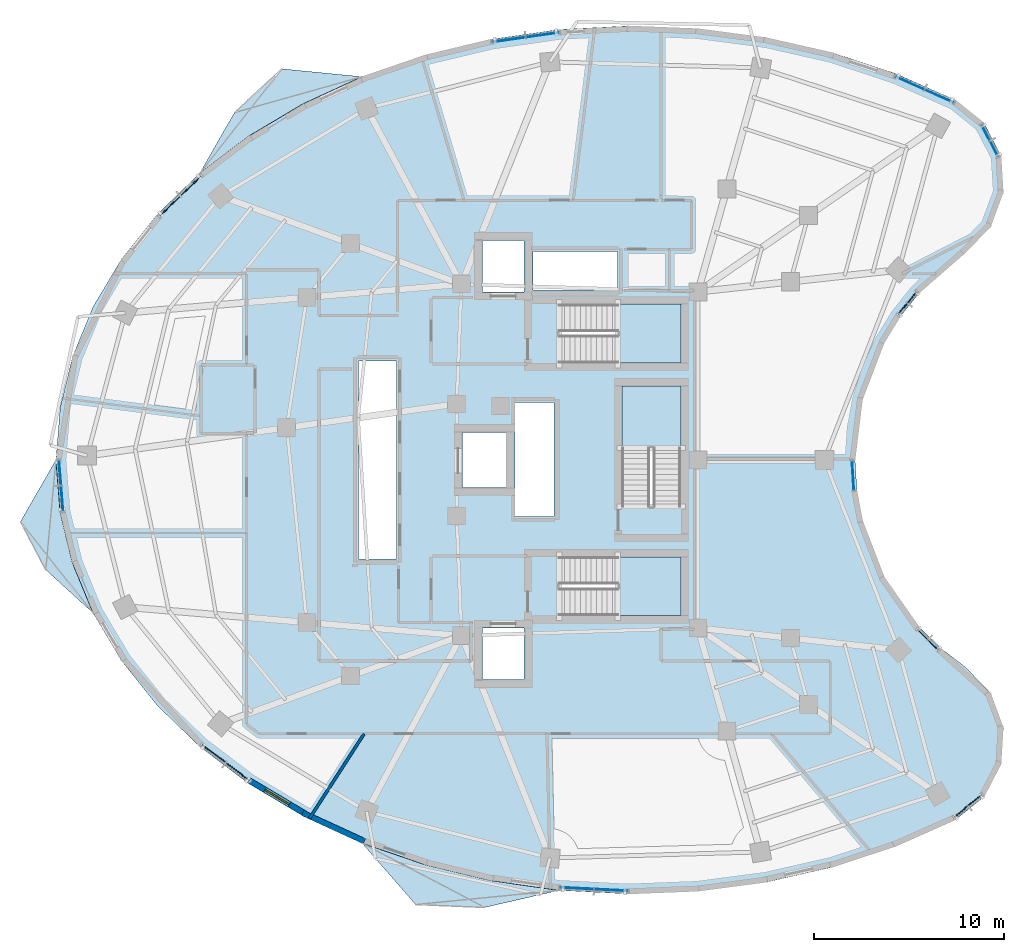
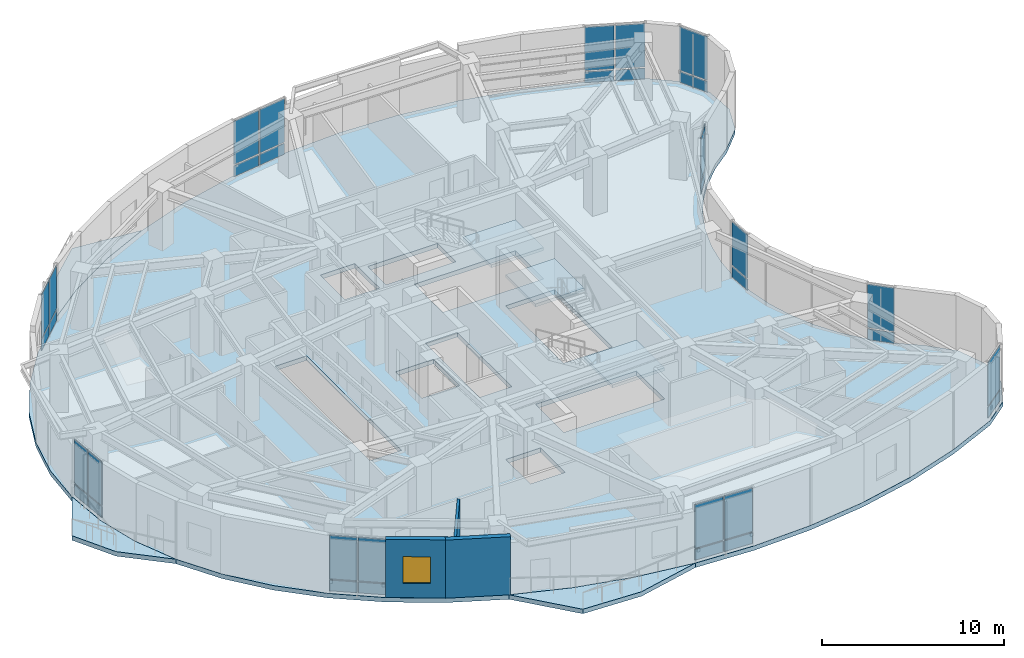
# One storey, part 7 of 15: 34 plates, 7 slabs, 3 walls, 1 window, 1 opening, 14 elements without a shape of their own.
"""IFC4 building model written with IfcOpenShell, lengths in metres."""

from ifc_helpers import new_model, si_unit, direction, frame, frame_2d, origin, origin_2d, place, context, subcontext, project, spatial, polyline, rectangle, outline, extrude, material, layer, layer_set, type_object, element, fill, aggregate, save


model = new_model("IFC4")

# Units and contexts
model_context = context("Model", 3, precision=1e-05, world=origin(), true_north=direction((0.0, 1.0)))
body_context = subcontext(model_context, "Body", "Model", "MODEL_VIEW")
ifc_project = project(units=[si_unit("LENGTHUNIT", "METRE"), si_unit("AREAUNIT", "SQUARE_METRE"), si_unit("VOLUMEUNIT", "CUBIC_METRE"), si_unit("PLANEANGLEUNIT", "RADIAN"), si_unit("MASSUNIT", "GRAM", prefix="KILO")], contexts=[model_context])

# Site, building, storey
site_placement = place(None, origin())
site = spatial("IfcSite", under=ifc_project, at=site_placement, CompositionType="ELEMENT")
building_placement = place(site_placement, origin())
building = spatial("IfcBuilding", under=site, at=building_placement, Name="Korentha Bioscience Tower", CompositionType="ELEMENT")
storey_placement = place(building_placement, frame((0.0, 0.0, 226.800048828125)))
storey = spatial("IfcBuildingStorey", under=building, at=storey_placement, Name="L52", CompositionType="ELEMENT", Elevation=226.800048828125)

# Curtain wall, plates
ifc_material_1 = material(Name="Thermally Broken Aluminium Frame", Category="aluminium")
ifc_layer_1 = layer(ifc_material_1, 0.219970703125, Name="Thermally Broken Aluminium Frame")
ifc_layer_set_1 = layer_set([ifc_layer_1], Name="Thermally Broken Aluminium Frame (CW-T2)")
curtain_wall_type_1 = type_object("IfcCurtainWallType", Name="Solar-Screened Lab Unitised Curtain Wall CW-T2", PredefinedType="USERDEFINED", material=ifc_layer_set_1)
curtain_wall_1_placement = place(storey_placement, origin())
curtain_wall_1 = element("IfcCurtainWall", 1, at=curtain_wall_1_placement, inside=storey, type_object=curtain_wall_type_1, Name="L52 Curtain Wall 01", ObjectType="UNITISED", PredefinedType="USERDEFINED")
ifc_material_2 = material(Name="Triple-Glazed Low-E Insulated Glass", Category="glass")
ifc_layer_2 = layer(ifc_material_2, 0.0439453125, Name="Triple-Glazed Low-E Insulated Glass")
ifc_layer_set_2 = layer_set([ifc_layer_2], Name="Triple-Glazed Low-E Insulated Glass (GL-44)")
plate_type = type_object("IfcPlateType", Name="Glazed Panel 44mm", PredefinedType="CURTAIN_PANEL", material=ifc_layer_set_2)
plate_1_placement = place(storey_placement, frame((50.25537109375, 46.142822265625, 0.08984375), z_axis=(0.0, 0.0, 1.0), x_axis=(-0.913943941578, 0.405840450983, 0.0)))
plate_1 = element("IfcPlate", 2, at=plate_1_placement, type_object=plate_type, Name="CW-L52-01 Bay 1 Glazed Panel 1", PredefinedType="CURTAIN_PANEL", context=body_context, shape_type="SweptSolid", body=[
    extrude(rectangle(XDim=1.624267578125, YDim=0.0439453125, at=origin_2d()), origin(), (0.0, 0.0, 1.0), 0.715087890625),
])
plate_2_placement = place(storey_placement, frame((50.25537109375, 46.142822265625, 0.89501953125), z_axis=(0.0, 0.0, 1.0), x_axis=(-0.913943941578, 0.405840450983, 0.0)))
plate_2 = element("IfcPlate", 3, at=plate_2_placement, type_object=plate_type, Name="CW-L52-01 Bay 1 Glazed Panel 2", PredefinedType="CURTAIN_PANEL", context=body_context, shape_type="SweptSolid", body=[
    extrude(rectangle(XDim=1.624267578125, YDim=0.0439453125, at=origin_2d()), origin(), (0.0, 0.0, 1.0), 2.9150390625),
])
plate_3_placement = place(storey_placement, frame((48.688720703125, 46.838623046875, 0.08984375), z_axis=(0.0, 0.0, 1.0), x_axis=(-0.913943941578, 0.405840450983, 0.0)))
plate_3 = element("IfcPlate", 4, at=plate_3_placement, type_object=plate_type, Name="CW-L52-01 Bay 2 Glazed Panel 1", PredefinedType="CURTAIN_PANEL", context=body_context, shape_type="SweptSolid", body=[
    extrude(rectangle(XDim=1.624267578125, YDim=0.0439453125, at=origin_2d()), origin(), (0.0, 0.0, 1.0), 0.715087890625),
])
plate_4_placement = place(storey_placement, frame((48.688720703125, 46.838623046875, 0.89501953125), z_axis=(0.0, 0.0, 1.0), x_axis=(-0.913943941578, 0.405840450983, 0.0)))
plate_4 = element("IfcPlate", 5, at=plate_4_placement, type_object=plate_type, Name="CW-L52-01 Bay 2 Glazed Panel 2", PredefinedType="CURTAIN_PANEL", context=body_context, shape_type="SweptSolid", body=[
    extrude(rectangle(XDim=1.624267578125, YDim=0.0439453125, at=origin_2d()), origin(), (0.0, 0.0, 1.0), 2.9150390625),
])
aggregate(curtain_wall_1, [plate_1, plate_2, plate_3, plate_4])

curtain_wall_2_placement = place(storey_placement, origin())
curtain_wall_2 = element("IfcCurtainWall", 6, at=curtain_wall_2_placement, inside=storey, type_object=curtain_wall_type_1, Name="L52 Curtain Wall 07", ObjectType="UNITISED", PredefinedType="USERDEFINED")
plate_5_placement = place(storey_placement, frame((29.373779296875, 49.370849609375, 0.08984375), z_axis=(0.0, 0.0, 1.0), x_axis=(-0.989901889134, -0.141754188259, 0.0)))
plate_5 = element("IfcPlate", 7, at=plate_5_placement, type_object=plate_type, Name="CW-L52-07 Bay 1 Glazed Panel 1", PredefinedType="CURTAIN_PANEL", context=body_context, shape_type="SweptSolid", body=[
    extrude(rectangle(XDim=1.7158203125, YDim=0.0439453125, at=origin_2d()), origin(), (0.0, 0.0, 1.0), 0.715087890625),
])
plate_6_placement = place(storey_placement, frame((29.373779296875, 49.370849609375, 0.89501953125), z_axis=(0.0, 0.0, 1.0), x_axis=(-0.989901889134, -0.141754188259, 0.0)))
plate_6 = element("IfcPlate", 8, at=plate_6_placement, type_object=plate_type, Name="CW-L52-07 Bay 1 Glazed Panel 2", PredefinedType="CURTAIN_PANEL", context=body_context, shape_type="SweptSolid", body=[
    extrude(rectangle(XDim=1.7158203125, YDim=0.0439453125, at=origin_2d()), origin(), (0.0, 0.0, 1.0), 2.9150390625),
])
plate_7_placement = place(storey_placement, frame((27.586181640625, 49.114990234375, 0.08984375), z_axis=(0.0, 0.0, 1.0), x_axis=(-0.989901889134, -0.141754188259, 0.0)))
plate_7 = element("IfcPlate", 9, at=plate_7_placement, type_object=plate_type, Name="CW-L52-07 Bay 2 Glazed Panel 1", PredefinedType="CURTAIN_PANEL", context=body_context, shape_type="SweptSolid", body=[
    extrude(rectangle(XDim=1.7158203125, YDim=0.0439453125, at=origin_2d()), origin(), (0.0, 0.0, 1.0), 0.715087890625),
])
plate_8_placement = place(storey_placement, frame((27.586181640625, 49.114990234375, 0.89501953125), z_axis=(0.0, 0.0, 1.0), x_axis=(-0.989901889134, -0.141754188259, 0.0)))
plate_8 = element("IfcPlate", 10, at=plate_8_placement, type_object=plate_type, Name="CW-L52-07 Bay 2 Glazed Panel 2", PredefinedType="CURTAIN_PANEL", context=body_context, shape_type="SweptSolid", body=[
    extrude(rectangle(XDim=1.7158203125, YDim=0.0439453125, at=origin_2d()), origin(), (0.0, 0.0, 1.0), 2.9150390625),
])
aggregate(curtain_wall_2, [plate_5, plate_6, plate_7, plate_8])

curtain_wall_3_placement = place(storey_placement, origin())
curtain_wall_3 = element("IfcCurtainWall", 11, at=curtain_wall_3_placement, inside=storey, type_object=curtain_wall_type_1, Name="L52 Curtain Wall 13", ObjectType="UNITISED", PredefinedType="USERDEFINED")
plate_9_placement = place(storey_placement, frame((10.87158203125, 41.42919921875, 0.08984375), z_axis=(0.0, 0.0, 1.0), x_axis=(-0.719000359175, -0.695009700297, 0.0)))
plate_9 = element("IfcPlate", 12, at=plate_9_placement, type_object=plate_type, Name="CW-L52-13 Bay 1 Glazed Panel 1", PredefinedType="CURTAIN_PANEL", context=body_context, shape_type="SweptSolid", body=[
    extrude(rectangle(XDim=1.46337890625, YDim=0.0439453125, at=origin_2d()), origin(), (0.0, 0.0, 1.0), 0.715087890625),
])
plate_10_placement = place(storey_placement, frame((10.87158203125, 41.42919921875, 0.89501953125), z_axis=(0.0, 0.0, 1.0), x_axis=(-0.719000359175, -0.695009700297, 0.0)))
plate_10 = element("IfcPlate", 13, at=plate_10_placement, type_object=plate_type, Name="CW-L52-13 Bay 1 Glazed Panel 2", PredefinedType="CURTAIN_PANEL", context=body_context, shape_type="SweptSolid", body=[
    extrude(rectangle(XDim=1.46337890625, YDim=0.0439453125, at=origin_2d()), origin(), (0.0, 0.0, 1.0), 2.9150390625),
])
plate_11_placement = place(storey_placement, frame((9.754638671875, 40.349609375, 0.08984375), z_axis=(0.0, 0.0, 1.0), x_axis=(-0.719000359175, -0.695009700297, 0.0)))
plate_11 = element("IfcPlate", 14, at=plate_11_placement, type_object=plate_type, Name="CW-L52-13 Bay 2 Glazed Panel 1", PredefinedType="CURTAIN_PANEL", context=body_context, shape_type="SweptSolid", body=[
    extrude(rectangle(XDim=1.46337890625, YDim=0.0439453125, at=origin_2d()), origin(), (0.0, 0.0, 1.0), 0.715087890625),
])
plate_12_placement = place(storey_placement, frame((9.754638671875, 40.349609375, 0.89501953125), z_axis=(0.0, 0.0, 1.0), x_axis=(-0.719000359175, -0.695009700297, 0.0)))
plate_12 = element("IfcPlate", 15, at=plate_12_placement, type_object=plate_type, Name="CW-L52-13 Bay 2 Glazed Panel 2", PredefinedType="CURTAIN_PANEL", context=body_context, shape_type="SweptSolid", body=[
    extrude(rectangle(XDim=1.46337890625, YDim=0.0439453125, at=origin_2d()), origin(), (0.0, 0.0, 1.0), 2.9150390625),
])
aggregate(curtain_wall_3, [plate_9, plate_10, plate_11, plate_12])

curtain_wall_4_placement = place(storey_placement, origin())
curtain_wall_4 = element("IfcCurtainWall", 16, at=curtain_wall_4_placement, inside=storey, type_object=curtain_wall_type_1, Name="L52 Curtain Wall 19", ObjectType="UNITISED", PredefinedType="USERDEFINED")
plate_13_placement = place(storey_placement, frame((3.971435546875, 26.3251953125, 0.08984375), z_axis=(0.0, 0.0, 1.0), x_axis=(0.07974803224, -0.996815053736, 0.0)))
plate_13 = element("IfcPlate", 17, at=plate_13_placement, type_object=plate_type, Name="CW-L52-19 Bay 1 Glazed Panel 1", PredefinedType="CURTAIN_PANEL", context=body_context, shape_type="SweptSolid", body=[
    extrude(rectangle(XDim=1.279541015625, YDim=0.0439453125, at=origin_2d()), origin(), (0.0, 0.0, 1.0), 0.715087890625),
])
plate_14_placement = place(storey_placement, frame((3.971435546875, 26.3251953125, 0.89501953125), z_axis=(0.0, 0.0, 1.0), x_axis=(0.07974803224, -0.996815053736, 0.0)))
plate_14 = element("IfcPlate", 18, at=plate_14_placement, type_object=plate_type, Name="CW-L52-19 Bay 1 Glazed Panel 2", PredefinedType="CURTAIN_PANEL", context=body_context, shape_type="SweptSolid", body=[
    extrude(rectangle(XDim=1.279541015625, YDim=0.0439453125, at=origin_2d()), origin(), (0.0, 0.0, 1.0), 2.9150390625),
])
plate_15_placement = place(storey_placement, frame((4.080810546875, 24.960205078125, 0.08984375), z_axis=(0.0, 0.0, 1.0), x_axis=(0.07974803224, -0.996815053736, 0.0)))
plate_15 = element("IfcPlate", 19, at=plate_15_placement, type_object=plate_type, Name="CW-L52-19 Bay 2 Glazed Panel 1", PredefinedType="CURTAIN_PANEL", context=body_context, shape_type="SweptSolid", body=[
    extrude(rectangle(XDim=1.279541015625, YDim=0.0439453125, at=origin_2d()), origin(), (0.0, 0.0, 1.0), 0.715087890625),
])
plate_16_placement = place(storey_placement, frame((4.080810546875, 24.960205078125, 0.89501953125), z_axis=(0.0, 0.0, 1.0), x_axis=(0.07974803224, -0.996815053736, 0.0)))
plate_16 = element("IfcPlate", 20, at=plate_16_placement, type_object=plate_type, Name="CW-L52-19 Bay 2 Glazed Panel 2", PredefinedType="CURTAIN_PANEL", context=body_context, shape_type="SweptSolid", body=[
    extrude(rectangle(XDim=1.279541015625, YDim=0.0439453125, at=origin_2d()), origin(), (0.0, 0.0, 1.0), 2.9150390625),
])
aggregate(curtain_wall_4, [plate_13, plate_14, plate_15, plate_16])

curtain_wall_5_placement = place(storey_placement, origin())
curtain_wall_5 = element("IfcCurtainWall", 21, at=curtain_wall_5_placement, inside=storey, type_object=curtain_wall_type_1, Name="L52 Curtain Wall 25", ObjectType="UNITISED", PredefinedType="USERDEFINED")
plate_17_placement = place(storey_placement, frame((12.063720703125, 11.55126953125, 0.08984375), z_axis=(0.0, 0.0, 1.0), x_axis=(0.796889131105, -0.604125576951, 0.0)))
plate_17 = element("IfcPlate", 22, at=plate_17_placement, type_object=plate_type, Name="CW-L52-25 Bay 1 Glazed Panel 1", PredefinedType="CURTAIN_PANEL", context=body_context, shape_type="SweptSolid", body=[
    extrude(rectangle(XDim=1.517822265625, YDim=0.0439453125, at=origin_2d()), origin(), (0.0, 0.0, 1.0), 0.715087890625),
])
plate_18_placement = place(storey_placement, frame((12.063720703125, 11.55126953125, 0.89501953125), z_axis=(0.0, 0.0, 1.0), x_axis=(0.796889131105, -0.604125576951, 0.0)))
plate_18 = element("IfcPlate", 23, at=plate_18_placement, type_object=plate_type, Name="CW-L52-25 Bay 1 Glazed Panel 2", PredefinedType="CURTAIN_PANEL", context=body_context, shape_type="SweptSolid", body=[
    extrude(rectangle(XDim=1.517822265625, YDim=0.0439453125, at=origin_2d()), origin(), (0.0, 0.0, 1.0), 2.9150390625),
])
plate_19_placement = place(storey_placement, frame((13.344970703125, 10.579833984375, 0.08984375), z_axis=(0.0, 0.0, 1.0), x_axis=(0.796889131105, -0.604125576951, 0.0)))
plate_19 = element("IfcPlate", 24, at=plate_19_placement, type_object=plate_type, Name="CW-L52-25 Bay 2 Glazed Panel 1", PredefinedType="CURTAIN_PANEL", context=body_context, shape_type="SweptSolid", body=[
    extrude(rectangle(XDim=1.517822265625, YDim=0.0439453125, at=origin_2d()), origin(), (0.0, 0.0, 1.0), 0.715087890625),
])
plate_20_placement = place(storey_placement, frame((13.344970703125, 10.579833984375, 0.89501953125), z_axis=(0.0, 0.0, 1.0), x_axis=(0.796889131105, -0.604125576951, 0.0)))
plate_20 = element("IfcPlate", 25, at=plate_20_placement, type_object=plate_type, Name="CW-L52-25 Bay 2 Glazed Panel 2", PredefinedType="CURTAIN_PANEL", context=body_context, shape_type="SweptSolid", body=[
    extrude(rectangle(XDim=1.517822265625, YDim=0.0439453125, at=origin_2d()), origin(), (0.0, 0.0, 1.0), 2.9150390625),
])
aggregate(curtain_wall_5, [plate_17, plate_18, plate_19, plate_20])

curtain_wall_6_placement = place(storey_placement, origin())
curtain_wall_6 = element("IfcCurtainWall", 26, at=curtain_wall_6_placement, inside=storey, type_object=curtain_wall_type_1, Name="L52 Curtain Wall 31", ObjectType="UNITISED", PredefinedType="USERDEFINED")
plate_21_placement = place(storey_placement, frame((31.170654296875, 4.455078125, 0.08984375), z_axis=(0.0, 0.0, 1.0), x_axis=(0.998695818107, -0.051055488397, 0.0)))
plate_21 = element("IfcPlate", 27, at=plate_21_placement, type_object=plate_type, Name="CW-L52-31 Bay 1 Glazed Panel 1", PredefinedType="CURTAIN_PANEL", context=body_context, shape_type="SweptSolid", body=[
    extrude(rectangle(XDim=1.727783203125, YDim=0.0439453125, at=origin_2d()), origin(), (0.0, 0.0, 1.0), 0.715087890625),
])
plate_22_placement = place(storey_placement, frame((31.170654296875, 4.455078125, 0.89501953125), z_axis=(0.0, 0.0, 1.0), x_axis=(0.998695818107, -0.051055488397, 0.0)))
plate_22 = element("IfcPlate", 28, at=plate_22_placement, type_object=plate_type, Name="CW-L52-31 Bay 1 Glazed Panel 2", PredefinedType="CURTAIN_PANEL", context=body_context, shape_type="SweptSolid", body=[
    extrude(rectangle(XDim=1.727783203125, YDim=0.0439453125, at=origin_2d()), origin(), (0.0, 0.0, 1.0), 2.9150390625),
])
plate_23_placement = place(storey_placement, frame((32.98583984375, 4.3623046875, 0.08984375), z_axis=(0.0, 0.0, 1.0), x_axis=(0.998695818107, -0.051055488397, 0.0)))
plate_23 = element("IfcPlate", 29, at=plate_23_placement, type_object=plate_type, Name="CW-L52-31 Bay 2 Glazed Panel 1", PredefinedType="CURTAIN_PANEL", context=body_context, shape_type="SweptSolid", body=[
    extrude(rectangle(XDim=1.727783203125, YDim=0.0439453125, at=origin_2d()), origin(), (0.0, 0.0, 1.0), 0.715087890625),
])
plate_24_placement = place(storey_placement, frame((32.98583984375, 4.3623046875, 0.89501953125), z_axis=(0.0, 0.0, 1.0), x_axis=(0.998695818107, -0.051055488397, 0.0)))
plate_24 = element("IfcPlate", 30, at=plate_24_placement, type_object=plate_type, Name="CW-L52-31 Bay 2 Glazed Panel 2", PredefinedType="CURTAIN_PANEL", context=body_context, shape_type="SweptSolid", body=[
    extrude(rectangle(XDim=1.727783203125, YDim=0.0439453125, at=origin_2d()), origin(), (0.0, 0.0, 1.0), 2.9150390625),
])
aggregate(curtain_wall_6, [plate_21, plate_22, plate_23, plate_24])

curtain_wall_7_placement = place(storey_placement, origin())
curtain_wall_7 = element("IfcCurtainWall", 31, at=curtain_wall_7_placement, inside=storey, type_object=curtain_wall_type_1, Name="L52 Curtain Wall 37", ObjectType="UNITISED", PredefinedType="USERDEFINED")
plate_25_placement = place(storey_placement, frame((51.76025390625, 8.790771484375, 0.08984375), z_axis=(0.0, 0.0, 1.0), x_axis=(0.779197616162, 0.626778330008, 0.0)))
plate_25 = element("IfcPlate", 32, at=plate_25_placement, type_object=plate_type, Name="CW-L52-37 Bay 1 Glazed Panel 1", PredefinedType="CURTAIN_PANEL", context=body_context, shape_type="SweptSolid", body=[
    extrude(rectangle(XDim=1.83154296875, YDim=0.0439453125, at=origin_2d()), origin(), (0.0, 0.0, 1.0), 0.715087890625),
])
plate_26_placement = place(storey_placement, frame((51.76025390625, 8.790771484375, 0.89501953125), z_axis=(0.0, 0.0, 1.0), x_axis=(0.779197616162, 0.626778330008, 0.0)))
plate_26 = element("IfcPlate", 33, at=plate_26_placement, type_object=plate_type, Name="CW-L52-37 Bay 1 Glazed Panel 2", PredefinedType="CURTAIN_PANEL", context=body_context, shape_type="SweptSolid", body=[
    extrude(rectangle(XDim=1.83154296875, YDim=0.0439453125, at=origin_2d()), origin(), (0.0, 0.0, 1.0), 2.9150390625),
])
aggregate(curtain_wall_7, [plate_25, plate_26])

curtain_wall_8_placement = place(storey_placement, origin())
curtain_wall_8 = element("IfcCurtainWall", 34, at=curtain_wall_8_placement, inside=storey, type_object=curtain_wall_type_1, Name="L52 Curtain Wall 43", ObjectType="UNITISED", PredefinedType="USERDEFINED")
plate_27_placement = place(storey_placement, frame((49.651611328125, 17.537109375, 0.08984375), z_axis=(0.0, 0.0, 1.0), x_axis=(-0.713258270268, 0.700901305388, 0.0)))
plate_27 = element("IfcPlate", 35, at=plate_27_placement, type_object=plate_type, Name="CW-L52-43 Bay 1 Glazed Panel 1", PredefinedType="CURTAIN_PANEL", context=body_context, shape_type="SweptSolid", body=[
    extrude(rectangle(XDim=1.50341796875, YDim=0.0439453125, at=origin_2d()), origin(), (0.0, 0.0, 1.0), 0.715087890625),
])
plate_28_placement = place(storey_placement, frame((49.651611328125, 17.537109375, 0.89501953125), z_axis=(0.0, 0.0, 1.0), x_axis=(-0.713258270268, 0.700901305388, 0.0)))
plate_28 = element("IfcPlate", 36, at=plate_28_placement, type_object=plate_type, Name="CW-L52-43 Bay 1 Glazed Panel 2", PredefinedType="CURTAIN_PANEL", context=body_context, shape_type="SweptSolid", body=[
    extrude(rectangle(XDim=1.50341796875, YDim=0.0439453125, at=origin_2d()), origin(), (0.0, 0.0, 1.0), 2.9150390625),
])
aggregate(curtain_wall_8, [plate_27, plate_28])

ifc_layer_3 = layer(ifc_material_1, 0.219970703125, Name="Thermally Broken Aluminium Frame")
ifc_layer_set_3 = layer_set([ifc_layer_3], Name="Thermally Broken Aluminium Frame (CW-T1)")
curtain_wall_type_2 = type_object("IfcCurtainWallType", Name="Standard Bioscience Lab Unitised Curtain Wall CW-T1", PredefinedType="USERDEFINED", material=ifc_layer_set_3)
curtain_wall_9_placement = place(storey_placement, origin())
curtain_wall_9 = element("IfcCurtainWall", 37, at=curtain_wall_9_placement, inside=storey, type_object=curtain_wall_type_2, Name="L52 Curtain Wall 49", ObjectType="UNITISED", PredefinedType="USERDEFINED")
plate_29_placement = place(storey_placement, frame((45.708251953125, 26.190185546875, 0.08984375), z_axis=(0.0, 0.0, 1.0), x_axis=(-0.06095424178, 0.998140561449, 0.0)))
plate_29 = element("IfcPlate", 38, at=plate_29_placement, type_object=plate_type, Name="CW-L52-49 Bay 1 Glazed Panel 1", PredefinedType="CURTAIN_PANEL", context=body_context, shape_type="SweptSolid", body=[
    extrude(rectangle(XDim=1.503173828125, YDim=0.0439453125, at=origin_2d()), origin(), (0.0, 0.0, 1.0), 0.715087890625),
])
plate_30_placement = place(storey_placement, frame((45.708251953125, 26.190185546875, 0.89501953125), z_axis=(0.0, 0.0, 1.0), x_axis=(-0.06095424178, 0.998140561449, 0.0)))
plate_30 = element("IfcPlate", 39, at=plate_30_placement, type_object=plate_type, Name="CW-L52-49 Bay 1 Glazed Panel 2", PredefinedType="CURTAIN_PANEL", context=body_context, shape_type="SweptSolid", body=[
    extrude(rectangle(XDim=1.503173828125, YDim=0.0439453125, at=origin_2d()), origin(), (0.0, 0.0, 1.0), 2.9150390625),
])
aggregate(curtain_wall_9, [plate_29, plate_30])

curtain_wall_10_placement = place(storey_placement, origin())
curtain_wall_10 = element("IfcCurtainWall", 40, at=curtain_wall_10_placement, inside=storey, type_object=curtain_wall_type_1, Name="L52 Curtain Wall 55", ObjectType="UNITISED", PredefinedType="USERDEFINED")
plate_31_placement = place(storey_placement, frame((48.567626953125, 35.259033203125, 0.08984375), z_axis=(0.0, 0.0, 1.0), x_axis=(0.622511989066, 0.782610262819, 0.0)))
plate_31 = element("IfcPlate", 41, at=plate_31_placement, type_object=plate_type, Name="CW-L52-55 Bay 1 Glazed Panel 1", PredefinedType="CURTAIN_PANEL", context=body_context, shape_type="SweptSolid", body=[
    extrude(rectangle(XDim=1.50341796875, YDim=0.0439453125, at=origin_2d()), origin(), (0.0, 0.0, 1.0), 0.715087890625),
])
plate_32_placement = place(storey_placement, frame((48.567626953125, 35.259033203125, 0.89501953125), z_axis=(0.0, 0.0, 1.0), x_axis=(0.622511989066, 0.782610262819, 0.0)))
plate_32 = element("IfcPlate", 42, at=plate_32_placement, type_object=plate_type, Name="CW-L52-55 Bay 1 Glazed Panel 2", PredefinedType="CURTAIN_PANEL", context=body_context, shape_type="SweptSolid", body=[
    extrude(rectangle(XDim=1.50341796875, YDim=0.0439453125, at=origin_2d()), origin(), (0.0, 0.0, 1.0), 2.9150390625),
])
aggregate(curtain_wall_10, [plate_31, plate_32])

curtain_wall_11_placement = place(storey_placement, origin())
curtain_wall_11 = element("IfcCurtainWall", 43, at=curtain_wall_11_placement, inside=storey, type_object=curtain_wall_type_1, Name="L52 Curtain Wall 61", ObjectType="UNITISED", PredefinedType="USERDEFINED")
plate_33_placement = place(storey_placement, frame((52.914794921875, 43.79736328125, 0.08984375), z_axis=(0.0, 0.0, 1.0), x_axis=(-0.459738031963, 0.888054582763, 0.0)))
plate_33 = element("IfcPlate", 44, at=plate_33_placement, type_object=plate_type, Name="CW-L52-61 Bay 1 Glazed Panel 1", PredefinedType="CURTAIN_PANEL", context=body_context, shape_type="SweptSolid", body=[
    extrude(rectangle(XDim=1.831298828125, YDim=0.0439453125, at=origin_2d()), origin(), (0.0, 0.0, 1.0), 0.715087890625),
])
plate_34_placement = place(storey_placement, frame((52.914794921875, 43.79736328125, 0.89501953125), z_axis=(0.0, 0.0, 1.0), x_axis=(-0.459738031963, 0.888054582763, 0.0)))
plate_34 = element("IfcPlate", 45, at=plate_34_placement, type_object=plate_type, Name="CW-L52-61 Bay 1 Glazed Panel 2", PredefinedType="CURTAIN_PANEL", context=body_context, shape_type="SweptSolid", body=[
    extrude(rectangle(XDim=1.831298828125, YDim=0.0439453125, at=origin_2d()), origin(), (0.0, 0.0, 1.0), 2.9150390625),
])
aggregate(curtain_wall_11, [plate_33, plate_34])

# Slab
ifc_material_3 = material(Name="Concrete C50", Category="concrete")
ifc_layer_4 = layer(ifc_material_3, 0.300048828125, Name="Concrete C50")
ifc_layer_set_4 = layer_set([ifc_layer_4], Name="Concrete C50 (SL-L300)")
slab_type_1 = type_object("IfcSlabType", Name="Laboratory Vibration-Controlled Slab 300", PredefinedType="FLOOR", material=ifc_layer_set_4)
slab_1_placement = place(storey_placement, frame((0.0, 0.0, -0.300048828125)))
element("IfcSlab", 46, at=slab_1_placement, inside=storey, type_object=slab_type_1, Name="L52 Tower Structural Floor Slab", PredefinedType="FLOOR", context=body_context, shape_type="SweptSolid", body=[
    extrude(outline(polyline([(51.108154296875, 45.939208984375), (47.9658203125, 47.334716796875), (44.623291015625, 48.4365234375), (41.129638671875, 49.22900390625), (37.53466796875, 49.700439453125), (33.890380859375, 49.843994140625), (30.249755859375, 49.657958984375), (26.664794921875, 49.14453125), (23.187744140625, 48.3115234375), (19.86865234375, 47.1708984375), (16.75537109375, 45.73876953125), (13.892822265625, 44.0361328125), (11.322509765625, 42.087646484375), (9.081298828125, 39.921142578125), (7.201904296875, 37.568115234375), (5.711181640625, 35.0625), (4.630859375, 32.440673828125), (3.976318359375, 29.739990234375), (3.757080078125, 27.0), (3.976318359375, 24.260009765625), (4.630859375, 21.559326171875), (5.711181640625, 18.9375), (7.201904296875, 16.431884765625), (9.081298828125, 14.078857421875), (11.322509765625, 11.912353515625), (13.892822265625, 9.9638671875), (16.75537109375, 8.26123046875), (19.86865234375, 6.8291015625), (23.187744140625, 5.6884765625), (26.664794921875, 4.85546875), (30.249755859375, 4.342041015625), (33.890380859375, 4.156005859375), (37.53466796875, 4.299560546875), (41.129638671875, 4.77099609375), (44.623291015625, 5.5634765625), (47.9658203125, 6.665283203125), (51.108154296875, 8.060791015625), (52.613037109375, 9.271484375), (53.5009765625, 10.986572265625), (53.62060546875, 12.914306640625), (52.951416015625, 14.72607421875), (51.607421875, 16.11328125), (50.33544921875, 17.08935546875), (49.19189453125, 18.213134765625), (48.19384765625, 19.468017578125), (47.35595703125, 20.8349609375), (46.691162109375, 22.2939453125), (46.208984375, 23.8232421875), (45.916748046875, 25.399658203125), (45.819091796875, 27.0), (45.916748046875, 28.600341796875), (46.208984375, 30.1767578125), (46.691162109375, 31.7060546875), (47.35595703125, 33.1650390625), (48.19384765625, 34.531982421875), (49.19189453125, 35.786865234375), (50.33544921875, 36.91064453125), (51.607421875, 37.88671875), (52.951416015625, 39.27392578125), (53.62060546875, 41.085693359375), (53.5009765625, 43.013427734375), (52.613037109375, 44.728515625), (51.108154296875, 45.939208984375)]), holes=[polyline([(30.25, 32.10009765625), (36.64990234375, 32.10009765625), (36.64990234375, 35.199951171875), (30.25, 35.199951171875), (30.25, 32.10009765625)]), polyline([(30.25, 18.800048828125), (36.64990234375, 18.800048828125), (36.64990234375, 21.89990234375), (30.25, 21.89990234375), (30.25, 18.800048828125)]), polyline([(36.64990234375, 24.550048828125), (36.64990234375, 30.89990234375), (33.550048828125, 30.89990234375), (33.550048828125, 24.550048828125), (36.64990234375, 24.550048828125)]), polyline([(19.679931640625, 21.780029296875), (21.669921875, 21.780029296875), (21.669921875, 32.219970703125), (19.679931640625, 32.219970703125), (19.679931640625, 21.780029296875)]), polyline([(27.929931640625, 24.030029296875), (29.969970703125, 24.030029296875), (29.969970703125, 30.02001953125), (27.929931640625, 30.02001953125), (27.929931640625, 24.030029296875)]), polyline([(28.860107421875, 35.93994140625), (33.31005859375, 35.93994140625), (33.31005859375, 37.9599609375), (28.860107421875, 37.9599609375), (28.860107421875, 35.93994140625)]), polyline([(26.199951171875, 15.449951171875), (28.39990234375, 15.449951171875), (28.39990234375, 18.14990234375), (26.199951171875, 18.14990234375), (26.199951171875, 15.449951171875)]), polyline([(26.199951171875, 35.85009765625), (28.39990234375, 35.85009765625), (28.39990234375, 38.550048828125), (26.199951171875, 38.550048828125), (26.199951171875, 35.85009765625)]), polyline([(25.14990234375, 25.550048828125), (27.550048828125, 25.550048828125), (27.550048828125, 28.449951171875), (25.14990234375, 28.449951171875), (25.14990234375, 25.550048828125)])]), origin(), (0.0, 0.0, 1.0), 0.300048828125),
])

# Stair, slab
ifc_material_4 = material(Name="Precast Concrete C50", Category="concrete")
stair_type = type_object("IfcStairType", Name="Core Exit Dog-Leg Stair 1450", PredefinedType="HALF_TURN_STAIR", material=ifc_material_4)
stair_1_placement = place(storey_placement, origin())
stair_1 = element("IfcStair", 47, at=stair_1_placement, inside=storey, type_object=stair_type, Name="L52 Tower North Pressurized Exit Stair ST-1", PredefinedType="HALF_TURN_STAIR")
ifc_layer_5 = layer(ifc_material_3, 0.199951171875, Name="Concrete C50")
ifc_layer_set_5 = layer_set([ifc_layer_5], Name="Concrete C50 (SL-LND)")
slab_type_2 = type_object("IfcSlabType", Name="Landing Slab 200", PredefinedType="LANDING", material=ifc_layer_set_5)
slab_2_placement = place(storey_placement, frame((0.0, 0.0, 1.89990234375)))
slab_2 = element("IfcSlab", 48, at=slab_2_placement, type_object=slab_type_2, Name="ST-1 landing 1", PredefinedType="LANDING", context=body_context, shape_type="SweptSolid", body=[
    extrude(outline(polyline([(33.330078125, 32.10009765625), (36.64990234375, 32.10009765625), (36.64990234375, 35.199951171875), (33.330078125, 35.199951171875), (33.330078125, 32.10009765625)])), origin(), (0.0, 0.0, 1.0), 0.199951171875),
])
aggregate(stair_1, [slab_2])

stair_2_placement = place(storey_placement, origin())
stair_2 = element("IfcStair", 49, at=stair_2_placement, inside=storey, type_object=stair_type, Name="L52 Tower South Pressurized Exit Stair ST-2", PredefinedType="HALF_TURN_STAIR")
slab_3_placement = place(storey_placement, frame((0.0, 0.0, 1.89990234375)))
slab_3 = element("IfcSlab", 50, at=slab_3_placement, type_object=slab_type_2, Name="ST-2 landing 1", PredefinedType="LANDING", context=body_context, shape_type="SweptSolid", body=[
    extrude(outline(polyline([(33.330078125, 18.800048828125), (36.64990234375, 18.800048828125), (36.64990234375, 21.89990234375), (33.330078125, 21.89990234375), (33.330078125, 18.800048828125)])), origin(), (0.0, 0.0, 1.0), 0.199951171875),
])
aggregate(stair_2, [slab_3])

stair_3_placement = place(storey_placement, origin())
stair_3 = element("IfcStair", 51, at=stair_3_placement, inside=storey, type_object=stair_type, Name="L52 Tower Central Pressurized Exit Stair ST-3", PredefinedType="HALF_TURN_STAIR")
slab_4_placement = place(storey_placement, frame((0.0, 0.0, 1.89990234375)))
slab_4 = element("IfcSlab", 52, at=slab_4_placement, type_object=slab_type_2, Name="ST-3 landing 1", PredefinedType="LANDING", context=body_context, shape_type="SweptSolid", body=[
    extrude(outline(polyline([(36.64990234375, 27.6298828125), (36.64990234375, 30.89990234375), (33.550048828125, 30.89990234375), (33.550048828125, 27.6298828125), (36.64990234375, 27.6298828125)])), origin(), (0.0, 0.0, 1.0), 0.199951171875),
])
aggregate(stair_3, [slab_4])

# Slabs
ifc_layer_6 = layer(ifc_material_3, 0.300048828125, Name="Concrete C50")
ifc_layer_set_6 = layer_set([ifc_layer_6], Name="Concrete C50 (BS-240)")
slab_type_3 = type_object("IfcSlabType", Name="Sawtooth Sun-Ledge Balcony Slab 240", PredefinedType="USERDEFINED", material=ifc_layer_set_6)
slab_5_placement = place(storey_placement, frame((0.0, 0.0, -0.300048828125)))
element("IfcSlab", 53, at=slab_5_placement, inside=storey, type_object=slab_type_3, Name="L52 Sun-Ledge Balcony 01", ObjectType="BALCONY", PredefinedType="USERDEFINED", context=body_context, shape_type="SweptSolid", body=[
    extrude(outline(polyline([(11.322509765625, 42.087646484375), (13.892822265625, 44.0361328125), (16.75537109375, 45.73876953125), (19.86865234375, 47.1708984375), (15.65625, 47.58642578125), (13.151611328125, 45.282470703125), (11.322509765625, 42.087646484375)])), origin(), (0.0, 0.0, 1.0), 0.300048828125),
])
slab_6_placement = place(storey_placement, frame((0.0, 0.0, -0.300048828125)))
element("IfcSlab", 54, at=slab_6_placement, inside=storey, type_object=slab_type_3, Name="L52 Sun-Ledge Balcony 02", ObjectType="BALCONY", PredefinedType="USERDEFINED", context=body_context, shape_type="SweptSolid", body=[
    extrude(outline(polyline([(5.711181640625, 18.9375), (4.630859375, 21.559326171875), (3.976318359375, 24.260009765625), (3.757080078125, 27.0), (1.88671875, 23.75341796875), (3.2216796875, 21.2177734375), (5.711181640625, 18.9375)])), origin(), (0.0, 0.0, 1.0), 0.300048828125),
])
slab_7_placement = place(storey_placement, frame((0.0, 0.0, -0.300048828125)))
element("IfcSlab", 55, at=slab_7_placement, inside=storey, type_object=slab_type_3, Name="L52 Sun-Ledge Balcony 03", ObjectType="BALCONY", PredefinedType="USERDEFINED", context=body_context, shape_type="SweptSolid", body=[
    extrude(outline(polyline([(30.249755859375, 4.342041015625), (26.664794921875, 4.85546875), (23.187744140625, 5.6884765625), (19.86865234375, 6.8291015625), (22.68701171875, 3.59765625), (26.326904296875, 3.4453125), (30.249755859375, 4.342041015625)])), origin(), (0.0, 0.0, 1.0), 0.300048828125),
])

# Wall
ifc_material_5 = material(Name="Double-Stud Acoustic Gypsum", Category="gypsum")
ifc_layer_7 = layer(ifc_material_5, 0.14990234375, Name="Double-Stud Acoustic Gypsum")
ifc_layer_set_7 = layer_set([ifc_layer_7], Name="Double-Stud Acoustic Gypsum (IW-L150)")
wall_type_1 = type_object("IfcWallType", Name="Acoustic Laboratory Partition Wall 150", PredefinedType="PARTITIONING", material=ifc_layer_set_7)
wall_1_placement = place(storey_placement, frame((19.98095703125, 12.590087890625, 0.0), z_axis=(0.0, 0.0, 1.0), x_axis=(-0.542120587928, -0.840300701026, 0.0)))
element("IfcWall", 56, at=wall_1_placement, inside=storey, type_object=wall_type_1, Name="L52 Interior Partition 031", PredefinedType="PARTITIONING", context=body_context, shape_type="SweptSolid", body=[
    extrude(rectangle(XDim=5.311279296875, YDim=0.14990234375, at=frame_2d((2.65576171875, 0.0))), origin(), (0.0, 0.0, 1.0), 2.909912109375),
])

# Wall, opening, window
ifc_material_6 = material(Name="Honed Limestone Precast Concrete C40", Category="masonry")
ifc_layer_8 = layer(ifc_material_6, 0.300048828125, Name="Honed Limestone Precast Concrete C40")
ifc_layer_set_8 = layer_set([ifc_layer_8], Name="Honed Limestone Precast Concrete C40 (EW-ST300)")
wall_type_2 = type_object("IfcWallType", Name="Honed Limestone Cavity Spandrel Wall 300", PredefinedType="STANDARD", material=ifc_layer_set_8)
wall_2_placement = place(storey_placement, frame((13.923095703125, 10.132080078125, 0.0), z_axis=(0.0, 0.0, 1.0), x_axis=(0.859459434124, -0.511203952543, 0.0)))
wall_2 = element("IfcWall", 57, at=wall_2_placement, inside=storey, type_object=wall_type_2, Name="L52 Honed Limestone Spandrel Wall 26", PredefinedType="STANDARD", context=body_context, shape_type="SweptSolid", body=[
    extrude(rectangle(XDim=3.450439453125, YDim=0.300048828125, at=frame_2d((1.72509765625, 0.0))), origin(), (0.0, 0.0, 1.0), 3.89990234375),
])
opening_placement = place(wall_2_placement, frame((0.97509765625, 0.0, 0.949951171875)))
opening = element("IfcOpeningElement", 58, at=opening_placement, cuts=wall_2, Name="Opening WN-02", PredefinedType="OPENING", context=body_context, shape_type="SweptSolid", body=[
    extrude(rectangle(XDim=1.5, YDim=1.800048828125, at=frame_2d((0.75, 0.89990234375))), frame((0.0, 0.1650390625, 0.0), z_axis=(0.0, -1.0, 0.0), x_axis=(1.0, 0.0, 0.0)), (0.0, 0.0, 1.0), 0.329833984375),
])
ifc_material_7 = material(Name="Thermally Broken Aluminium Triple Glazing", Category="aluminium")
window_type = type_object("IfcWindowType", Name="Acoustic Operable Office Window 1500x1800", PartitioningType="DOUBLE_PANEL_VERTICAL", PredefinedType="WINDOW", material=ifc_material_7)
window_placement = place(opening_placement, origin())
window = element("IfcWindow", 59, at=window_placement, inside=storey, type_object=window_type, Name="L52 Facade Window 26", OverallHeight=1.800048828125, OverallWidth=1.5, PartitioningType="DOUBLE_PANEL_VERTICAL", PredefinedType="WINDOW", context=body_context, shape_type="SweptSolid", body=[
    extrude(rectangle(XDim=1.5, YDim=1.800048828125, at=frame_2d((0.75, 0.89990234375))), frame((0.0, 0.030029296875, 0.0), z_axis=(0.0, -1.0, 0.0), x_axis=(1.0, 0.0, 0.0)), (0.0, 0.0, 1.0), 0.06005859375),
])
fill(opening, window)

# Wall
wall_3_placement = place(storey_placement, frame((16.7412109375, 8.421875, 0.0), z_axis=(0.0, 0.0, 1.0), x_axis=(0.908506474671, -0.417870776055, 0.0)))
element("IfcWall", 60, at=wall_3_placement, inside=storey, type_object=wall_type_2, Name="L52 Limestone Perimeter Closure Wall 27", PredefinedType="STANDARD", context=body_context, shape_type="SweptSolid", body=[
    extrude(rectangle(XDim=3.586669921875, YDim=0.300048828125, at=frame_2d((1.79345703125, 0.0))), origin(), (0.0, 0.0, 1.0), 3.89990234375),
])

save(model, "model.ifc")
